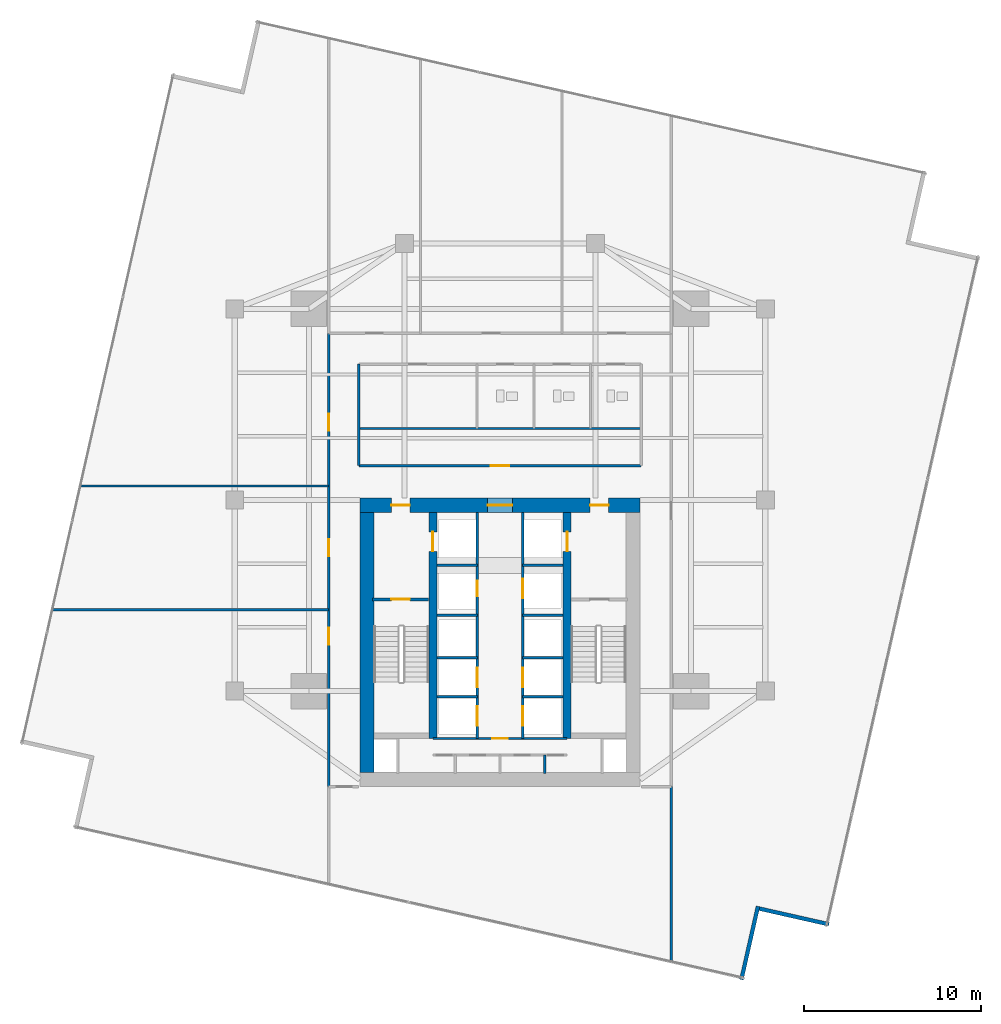
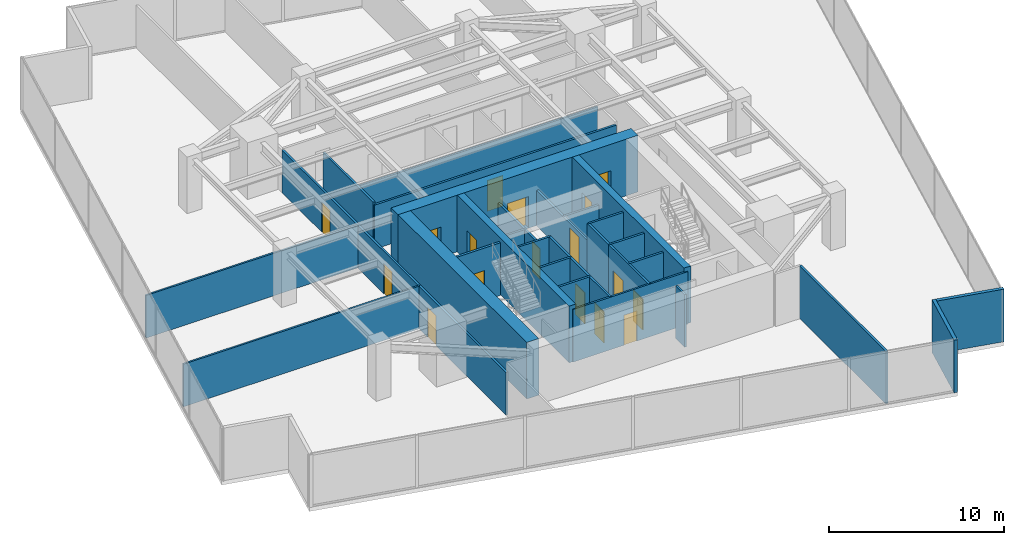
# One storey, part 23 of 26: 30 walls, 17 doors, 17 openings.
"""IFC4 building model written with IfcOpenShell, lengths in metres."""

from ifc_helpers import new_model, si_unit, direction, frame, frame_2d, origin, place, context, subcontext, project, spatial, rectangle, extrude, material, layer, layer_set, type_object, element, fill, save


model = new_model("IFC4")

# Units and contexts
model_context = context("Model", 3, precision=1e-05, world=origin(), true_north=direction((0.0, 1.0)))
body_context = subcontext(model_context, "Body", "Model", "MODEL_VIEW")
ifc_project = project(units=[si_unit("LENGTHUNIT", "METRE"), si_unit("AREAUNIT", "SQUARE_METRE"), si_unit("VOLUMEUNIT", "CUBIC_METRE"), si_unit("PLANEANGLEUNIT", "RADIAN"), si_unit("MASSUNIT", "GRAM", prefix="KILO")], contexts=[model_context])

# Site, building, storey
site_placement = place(None, origin())
site = spatial("IfcSite", under=ifc_project, at=site_placement, CompositionType="ELEMENT")
building_placement = place(site_placement, origin())
building = spatial("IfcBuilding", under=site, at=building_placement, Name="Krantzveldt Concourse Tower", CompositionType="ELEMENT")
storey_placement = place(building_placement, frame((0.0, 0.0, 94.0)))
storey = spatial("IfcBuildingStorey", under=building, at=storey_placement, Name="L22", CompositionType="ELEMENT", Elevation=94.0)

# Walls
ifc_material_1 = material(Name="Anodised aluminium 6063-T6", Category="aluminium")
ifc_layer_1 = layer(ifc_material_1, 0.219970703125, Name="Anodised aluminium 6063-T6", Category="aluminium")
ifc_layer_set_1 = layer_set([ifc_layer_1], Name="Anodised aluminium 6063-T6 (WL-EXT-NOTCH220)")
wall_type_1 = type_object("IfcWallType", Name="WL-EXT-NOTCH220", PredefinedType="ELEMENTEDWALL", material=ifc_layer_set_1)
wall_1_placement = place(storey_placement, frame((49.64453125, -0.404541015625, 0.0), z_axis=(0.0, 0.0, 1.0), x_axis=(0.220686293035, 0.975344841616, 0.0)))
element("IfcWall", 1, at=wall_1_placement, inside=storey, type_object=wall_type_1, Name="EW-L22-NCH05", PredefinedType="ELEMENTEDWALL", context=body_context, shape_type="SweptSolid", body=[
    extrude(rectangle(XDim=4.244873046875, YDim=0.219970703125, at=frame_2d((2.12255859375, 0.0))), origin(), (0.0, 0.0, 1.0), 3.669921875),
])
wall_2_placement = place(storey_placement, frame((50.664306640625, 3.60400390625, 0.0), z_axis=(0.0, 0.0, 1.0), x_axis=(0.975349272951, -0.2206667074, 0.0)))
element("IfcWall", 2, at=wall_2_placement, inside=storey, type_object=wall_type_1, Name="EW-L22-NCH06", PredefinedType="ELEMENTEDWALL", context=body_context, shape_type="SweptSolid", body=[
    extrude(rectangle(XDim=4.02490234375, YDim=0.219970703125, at=frame_2d((2.012451171875, 0.0))), origin(), (0.0, 0.0, 1.0), 3.669921875),
])

# Wall, opening, door
ifc_material_2 = material(Name="Fire-rated gypsum plasterboard on steel stud", Category="steel")
ifc_layer_2 = layer(ifc_material_2, 0.1201171875, Name="Fire-rated gypsum plasterboard on steel stud", Category="steel")
ifc_layer_set_2 = layer_set([ifc_layer_2], Name="Fire-rated gypsum plasterboard on steel stud (WL-PART-120)")
wall_type_2 = type_object("IfcWallType", Name="WL-PART-120", PredefinedType="PARTITIONING", material=ifc_layer_set_2)
wall_3_placement = place(storey_placement, frame((32.2099609375, 13.219970703125, 0.0), z_axis=(0.0, 0.0, 1.0), x_axis=(1.0, 0.0, 0.0)))
wall_3 = element("IfcWall", 3, at=wall_3_placement, inside=storey, type_object=wall_type_2, Name="WP-L22-CS2H", PredefinedType="PARTITIONING", context=body_context, shape_type="SweptSolid", body=[
    extrude(rectangle(XDim=7.580078125, YDim=0.1201171875, at=frame_2d((3.7900390625, 0.0))), origin(), (0.0, 0.0, 1.0), 3.669921875),
])
opening_1_placement = place(wall_3_placement, frame((3.364990234375, 0.0, 0.0)))
opening_1 = element("IfcOpeningElement", 4, at=opening_1_placement, cuts=wall_3, Name="Opening D-IN085", PredefinedType="OPENING", context=body_context, shape_type="SweptSolid", body=[
    extrude(rectangle(XDim=0.85009765625, YDim=2.10009765625, at=frame_2d((0.425048828125, 1.050048828125))), frame((0.0, 0.070068359375, 0.0), z_axis=(0.0, -1.0, 0.0), x_axis=(1.0, 0.0, 0.0)), (0.0, 0.0, 1.0), 0.14013671875),
])
ifc_material_3 = material(Name="Hardwood timber", Category="wood")
door_type_1 = type_object("IfcDoorType", Name="DR-INT-850", OperationType="SINGLE_SWING_LEFT", PredefinedType="DOOR", material=ifc_material_3)
door_1_placement = place(opening_1_placement, origin())
door_1 = element("IfcDoor", 5, at=door_1_placement, inside=storey, type_object=door_type_1, Name="DR-L22-LLBS", OperationType="SINGLE_SWING_RIGHT", OverallHeight=2.10009765625, OverallWidth=0.85009765625, PredefinedType="DOOR", context=body_context, shape_type="SweptSolid", body=[
    extrude(rectangle(XDim=0.85009765625, YDim=2.10009765625, at=frame_2d((0.425048828125, 1.050048828125))), frame((0.0, 0.02490234375, 0.0), z_axis=(0.0, -1.0, 0.0), x_axis=(1.0, 0.0, 0.0)), (0.0, 0.0, 1.0), 0.050048828125),
])
fill(opening_1, door_1)

# Walls
wall_4_placement = place(storey_placement, frame((38.530029296875, 11.25, 0.0), z_axis=(0.0, 0.0, 1.0), x_axis=(0.0, 1.0, 0.0)))
element("IfcWall", 6, at=wall_4_placement, inside=storey, type_object=wall_type_2, Name="WP-L22-CSD-V3", PredefinedType="PARTITIONING", context=body_context, shape_type="SweptSolid", body=[
    extrude(rectangle(XDim=1.030029296875, YDim=0.1201171875, at=frame_2d((0.51513671875, 0.0))), origin(), (0.0, 0.0, 1.0), 3.669921875),
])
wall_5_placement = place(storey_placement, frame((28.02001953125, 30.739990234375, 0.0), z_axis=(0.0, 0.0, 1.0), x_axis=(1.0, 0.0, 0.0)))
element("IfcWall", 7, at=wall_5_placement, inside=storey, type_object=wall_type_2, Name="WP-L22-ISLM", PredefinedType="PARTITIONING", context=body_context, shape_type="SweptSolid", body=[
    extrude(rectangle(XDim=15.9599609375, YDim=0.1201171875, at=frame_2d((7.97998046875, 0.0))), origin(), (0.0, 0.0, 1.0), 3.080078125),
])
wall_6_placement = place(storey_placement, frame((10.69775390625, 20.5, 0.0), z_axis=(0.0, 0.0, 1.0), x_axis=(1.0, 0.0, 0.0)))
element("IfcWall", 8, at=wall_6_placement, inside=storey, type_object=wall_type_2, Name="WP-L22-WD1", PredefinedType="PARTITIONING", context=body_context, shape_type="SweptSolid", body=[
    extrude(rectangle(XDim=15.622314453125, YDim=0.1201171875, at=frame_2d((7.81103515625, 0.0))), origin(), (0.0, 0.0, 1.0), 2.969970703125),
])
wall_7_placement = place(storey_placement, frame((12.28173828125, 27.5, 0.0), z_axis=(0.0, 0.0, 1.0), x_axis=(1.0, 0.0, 0.0)))
element("IfcWall", 9, at=wall_7_placement, inside=storey, type_object=wall_type_2, Name="WP-L22-WD2", PredefinedType="PARTITIONING", context=body_context, shape_type="SweptSolid", body=[
    extrude(rectangle(XDim=14.038330078125, YDim=0.1201171875, at=frame_2d((7.01904296875, 0.0))), origin(), (0.0, 0.0, 1.0), 2.969970703125),
])

# Wall, opening, door
ifc_layer_3 = layer(ifc_material_2, 0.139892578125, Name="Fire-rated gypsum plasterboard on steel stud", Category="steel")
ifc_layer_set_3 = layer_set([ifc_layer_3], Name="Fire-rated gypsum plasterboard on steel stud (WL-PART-140)")
wall_type_3 = type_object("IfcWallType", Name="WL-PART-140", PredefinedType="PARTITIONING", material=ifc_layer_set_3)
wall_8_placement = place(storey_placement, frame((28.02001953125, 28.639892578125, 0.0), z_axis=(0.0, 0.0, 1.0), x_axis=(1.0, 0.0, 0.0)))
wall_8 = element("IfcWall", 10, at=wall_8_placement, inside=storey, type_object=wall_type_3, Name="WP-L22-ISLS", PredefinedType="PARTITIONING", context=body_context, shape_type="SweptSolid", body=[
    extrude(rectangle(XDim=15.9599609375, YDim=0.139892578125, at=frame_2d((7.97998046875, 0.0))), origin(), (0.0, 0.0, 1.0), 3.080078125),
])
opening_2_placement = place(wall_8_placement, frame((7.455078125, 0.0, 0.0)))
opening_2 = element("IfcOpeningElement", 11, at=opening_2_placement, cuts=wall_8, Name="Opening D-IN105", PredefinedType="OPENING", context=body_context, shape_type="SweptSolid", body=[
    extrude(rectangle(XDim=1.050048828125, YDim=2.14990234375, at=frame_2d((0.52490234375, 1.074951171875))), frame((0.0, 0.080078125, 0.0), z_axis=(0.0, -1.0, 0.0), x_axis=(1.0, 0.0, 0.0)), (0.0, 0.0, 1.0), 0.159912109375),
])
door_type_2 = type_object("IfcDoorType", Name="DR-INT-1050", OperationType="SINGLE_SWING_LEFT", PredefinedType="DOOR", material=ifc_material_3)
door_2_placement = place(opening_2_placement, origin())
door_2 = element("IfcDoor", 12, at=door_2_placement, inside=storey, type_object=door_type_2, Name="DR-L22-MIDB", OperationType="SINGLE_SWING_LEFT", OverallHeight=2.14990234375, OverallWidth=1.050048828125, PredefinedType="DOOR", context=body_context, shape_type="SweptSolid", body=[
    extrude(rectangle(XDim=1.050048828125, YDim=2.14990234375, at=frame_2d((0.52490234375, 1.074951171875))), frame((0.0, 0.02490234375, 0.0), z_axis=(0.0, -1.0, 0.0), x_axis=(1.0, 0.0, 0.0)), (0.0, 0.0, 1.0), 0.050048828125),
])
fill(opening_2, door_2)

# Wall
wall_9_placement = place(storey_placement, frame((28.02001953125, 28.639892578125, 0.0), z_axis=(0.0, 0.0, 1.0), x_axis=(0.0, 1.0, 0.0)))
element("IfcWall", 13, at=wall_9_placement, inside=storey, type_object=wall_type_3, Name="WP-L22-ISLW", PredefinedType="PARTITIONING", context=body_context, shape_type="SweptSolid", body=[
    extrude(rectangle(XDim=5.739990234375, YDim=0.139892578125, at=frame_2d((2.8701171875, 0.0))), origin(), (0.0, 0.0, 1.0), 3.27001953125),
])

# Wall, openings, doors
wall_10_placement = place(storey_placement, frame((26.320068359375, 10.5, 0.0), z_axis=(0.0, 0.0, 1.0), x_axis=(0.0, 1.0, 0.0)))
wall_10 = element("IfcWall", 14, at=wall_10_placement, inside=storey, type_object=wall_type_3, Name="WP-L22-CWEST", PredefinedType="PARTITIONING", context=body_context, shape_type="SweptSolid", body=[
    extrude(rectangle(XDim=25.6201171875, YDim=0.139892578125, at=frame_2d((12.81005859375, 0.0))), origin(), (0.0, 0.0, 1.0), 2.969970703125),
])
opening_3_placement = place(wall_10_placement, frame((8.02490234375, 0.0, 0.0)))
opening_3 = element("IfcOpeningElement", 15, at=opening_3_placement, cuts=wall_10, Name="Opening D-IN095", PredefinedType="OPENING", context=body_context, shape_type="SweptSolid", body=[
    extrude(rectangle(XDim=0.949951171875, YDim=2.10009765625, at=frame_2d((0.47509765625, 1.050048828125))), frame((0.0, 0.080078125, 0.0), z_axis=(0.0, -1.0, 0.0), x_axis=(1.0, 0.0, 0.0)), (0.0, 0.0, 1.0), 0.159912109375),
])
opening_4_placement = place(wall_10_placement, frame((13.02490234375, 0.0, 0.0)))
opening_4 = element("IfcOpeningElement", 16, at=opening_4_placement, cuts=wall_10, Name="Opening D-IN095", PredefinedType="OPENING", context=body_context, shape_type="SweptSolid", body=[
    extrude(rectangle(XDim=0.949951171875, YDim=2.10009765625, at=frame_2d((0.47509765625, 1.050048828125))), frame((0.0, 0.080078125, 0.0), z_axis=(0.0, -1.0, 0.0), x_axis=(1.0, 0.0, 0.0)), (0.0, 0.0, 1.0), 0.159912109375),
])
opening_5_placement = place(wall_10_placement, frame((20.125, 0.0, 0.0)))
opening_5 = element("IfcOpeningElement", 17, at=opening_5_placement, cuts=wall_10, Name="Opening D-IN095", PredefinedType="OPENING", context=body_context, shape_type="SweptSolid", body=[
    extrude(rectangle(XDim=0.949951171875, YDim=2.10009765625, at=frame_2d((0.47509765625, 1.050048828125))), frame((0.0, 0.080078125, 0.0), z_axis=(0.0, -1.0, 0.0), x_axis=(1.0, 0.0, 0.0)), (0.0, 0.0, 1.0), 0.159912109375),
])
door_type_3 = type_object("IfcDoorType", Name="DR-INT-950", OperationType="SINGLE_SWING_LEFT", PredefinedType="DOOR", material=ifc_material_3)
door_3_placement = place(opening_3_placement, origin())
door_3 = element("IfcDoor", 18, at=door_3_placement, inside=storey, type_object=door_type_3, Name="DR-L22-WR1", OperationType="SINGLE_SWING_LEFT", OverallHeight=2.10009765625, OverallWidth=0.949951171875, PredefinedType="DOOR", context=body_context, shape_type="SweptSolid", body=[
    extrude(rectangle(XDim=0.949951171875, YDim=2.10009765625, at=frame_2d((0.47509765625, 1.050048828125))), frame((0.0, 0.02490234375, 0.0), z_axis=(0.0, -1.0, 0.0), x_axis=(1.0, 0.0, 0.0)), (0.0, 0.0, 1.0), 0.050048828125),
])
fill(opening_3, door_3)
door_4_placement = place(opening_4_placement, origin())
door_4 = element("IfcDoor", 19, at=door_4_placement, inside=storey, type_object=door_type_3, Name="DR-L22-WR2", OperationType="SINGLE_SWING_LEFT", OverallHeight=2.10009765625, OverallWidth=0.949951171875, PredefinedType="DOOR", context=body_context, shape_type="SweptSolid", body=[
    extrude(rectangle(XDim=0.949951171875, YDim=2.10009765625, at=frame_2d((0.47509765625, 1.050048828125))), frame((0.0, 0.02490234375, 0.0), z_axis=(0.0, -1.0, 0.0), x_axis=(1.0, 0.0, 0.0)), (0.0, 0.0, 1.0), 0.050048828125),
])
fill(opening_4, door_4)
door_5_placement = place(opening_5_placement, origin())
door_5 = element("IfcDoor", 20, at=door_5_placement, inside=storey, type_object=door_type_3, Name="DR-L22-WR3", OperationType="SINGLE_SWING_LEFT", OverallHeight=2.10009765625, OverallWidth=0.949951171875, PredefinedType="DOOR", context=body_context, shape_type="SweptSolid", body=[
    extrude(rectangle(XDim=0.949951171875, YDim=2.10009765625, at=frame_2d((0.47509765625, 1.050048828125))), frame((0.0, 0.02490234375, 0.0), z_axis=(0.0, -1.0, 0.0), x_axis=(1.0, 0.0, 0.0)), (0.0, 0.0, 1.0), 0.050048828125),
])
fill(opening_5, door_5)

# Wall
wall_11_placement = place(storey_placement, frame((45.679931640625, 0.6103515625, 0.0), z_axis=(0.0, 0.0, 1.0), x_axis=(0.0, 1.0, 0.0)))
element("IfcWall", 21, at=wall_11_placement, inside=storey, type_object=wall_type_3, Name="WP-L22-SER", PredefinedType="PARTITIONING", context=body_context, shape_type="SweptSolid", body=[
    extrude(rectangle(XDim=9.8896484375, YDim=0.139892578125, at=frame_2d((4.94482421875, 0.0))), origin(), (0.0, 0.0, 1.0), 3.669921875),
])

# Wall, opening, door
ifc_layer_4 = layer(ifc_material_2, 0.139892578125, Name="Fire-rated gypsum plasterboard on steel stud", Category="steel")
ifc_layer_set_4 = layer_set([ifc_layer_4], Name="Fire-rated gypsum plasterboard on steel stud (WL-PART-FR140)")
wall_type_4 = type_object("IfcWallType", Name="WL-PART-FR140", PredefinedType="PARTITIONING", material=ifc_layer_set_4)
wall_12_placement = place(storey_placement, frame((34.719970703125, 20.199951171875, 0.0), z_axis=(0.0, 0.0, 1.0), x_axis=(0.0, 1.0, 0.0)))
wall_12 = element("IfcWall", 22, at=wall_12_placement, inside=storey, type_object=wall_type_4, Name="WP-L22-SHNW", PredefinedType="PARTITIONING", context=body_context, shape_type="SweptSolid", body=[
    extrude(rectangle(XDim=5.780029296875, YDim=0.139892578125, at=frame_2d((2.89013671875, 0.0))), origin(), (0.0, 0.0, 1.0), 2.469970703125),
])
opening_6_placement = place(wall_12_placement, frame((1.050048828125, 0.0, 0.0)))
opening_6 = element("IfcOpeningElement", 23, at=opening_6_placement, cuts=wall_12, Name="Opening D-FD090", PredefinedType="OPENING", context=body_context, shape_type="SweptSolid", body=[
    extrude(rectangle(XDim=0.89990234375, YDim=2.10009765625, at=frame_2d((0.449951171875, 1.050048828125))), frame((0.0, 0.080078125, 0.0), z_axis=(0.0, -1.0, 0.0), x_axis=(1.0, 0.0, 0.0)), (0.0, 0.0, 1.0), 0.159912109375),
])
door_type_4 = type_object("IfcDoorType", Name="DR-FD60-900", OperationType="SINGLE_SWING_LEFT", PredefinedType="DOOR", material=ifc_material_3)
door_6_placement = place(opening_6_placement, origin())
door_6 = element("IfcDoor", 24, at=door_6_placement, inside=storey, type_object=door_type_4, Name="Electrical Riser Access Door L22", OperationType="SINGLE_SWING_LEFT", OverallHeight=2.10009765625, OverallWidth=0.89990234375, PredefinedType="DOOR", context=body_context, shape_type="SweptSolid", body=[
    extrude(rectangle(XDim=0.89990234375, YDim=2.10009765625, at=frame_2d((0.449951171875, 1.050048828125))), frame((0.0, 0.02490234375, 0.0), z_axis=(0.0, -1.0, 0.0), x_axis=(1.0, 0.0, 0.0)), (0.0, 0.0, 1.0), 0.050048828125),
])
fill(opening_6, door_6)

wall_13_placement = place(storey_placement, frame((37.280029296875, 20.199951171875, 0.0), z_axis=(0.0, 0.0, 1.0), x_axis=(0.0, 1.0, 0.0)))
wall_13 = element("IfcWall", 25, at=wall_13_placement, inside=storey, type_object=wall_type_4, Name="WP-L22-SHNE", PredefinedType="PARTITIONING", context=body_context, shape_type="SweptSolid", body=[
    extrude(rectangle(XDim=5.780029296875, YDim=0.139892578125, at=frame_2d((2.89013671875, 0.0))), origin(), (0.0, 0.0, 1.0), 2.469970703125),
])
opening_7_placement = place(wall_13_placement, frame((0.949951171875, 0.0, 0.0)))
opening_7 = element("IfcOpeningElement", 26, at=opening_7_placement, cuts=wall_13, Name="Opening LD", PredefinedType="OPENING", context=body_context, shape_type="SweptSolid", body=[
    extrude(rectangle(XDim=1.10009765625, YDim=2.14990234375, at=frame_2d((0.550048828125, 1.074951171875))), frame((0.0, 0.080078125, 0.0), z_axis=(0.0, -1.0, 0.0), x_axis=(1.0, 0.0, 0.0)), (0.0, 0.0, 1.0), 0.159912109375),
])
ifc_material_4 = material(Name="Stainless steel 316L", Category="steel")
door_type_5 = type_object("IfcDoorType", Name="DR-SLIDE-LD1100", OperationType="DOUBLE_DOOR_SLIDING", PredefinedType="DOOR", material=ifc_material_4)
door_7_placement = place(opening_7_placement, origin())
door_7 = element("IfcDoor", 27, at=door_7_placement, inside=storey, type_object=door_type_5, Name="LD-L22-GL1", OperationType="DOUBLE_DOOR_SLIDING", OverallHeight=2.14990234375, OverallWidth=1.10009765625, PredefinedType="DOOR", context=body_context, shape_type="SweptSolid", body=[
    extrude(rectangle(XDim=1.10009765625, YDim=2.14990234375, at=frame_2d((0.550048828125, 1.074951171875))), frame((0.0, 0.02490234375, 0.0), z_axis=(0.0, -1.0, 0.0), x_axis=(1.0, 0.0, 0.0)), (0.0, 0.0, 1.0), 0.050048828125),
])
fill(opening_7, door_7)

# Walls
for number, where, z_axis, x_axis, name in (
    (28, (32.449951171875, 23.0, 0.0), (0.0, 0.0, 1.0), (1.0, 0.0, 0.0), "WP-L22-RISH"),
    (29, (37.280029296875, 23.0, 0.0), (0.0, 0.0, 1.0), (1.0, 0.0, 0.0), "WP-L22-GLH"),
):
    element("IfcWall", number, at=place(storey_placement, frame(where, z_axis=z_axis, x_axis=x_axis)), inside=storey, type_object=wall_type_4, Name=name, PredefinedType="PARTITIONING", context=body_context, shape_type="SweptSolid", body=[
        extrude(rectangle(XDim=2.27001953125, YDim=0.139892578125, at=frame_2d((1.135009765625, 0.0))), origin(), (0.0, 0.0, 1.0), 2.469970703125),
    ])
for number, where, z_axis, x_axis, name in (
    (30, (34.719970703125, 17.780029296875, 0.0), (0.0, 0.0, 1.0), (0.0, 1.0, 0.0), "WP-L22-SHNW2"),
    (31, (37.280029296875, 17.780029296875, 0.0), (0.0, 0.0, 1.0), (0.0, 1.0, 0.0), "WP-L22-SHNE2"),
):
    element("IfcWall", number, at=place(storey_placement, frame(where, z_axis=z_axis, x_axis=x_axis)), inside=storey, type_object=wall_type_4, Name=name, PredefinedType="PARTITIONING", context=body_context, shape_type="SweptSolid", body=[
        extrude(rectangle(XDim=2.419921875, YDim=0.139892578125, at=frame_2d((1.2099609375, 0.0))), origin(), (0.0, 0.0, 1.0), 3.669921875),
    ])
for number, where, z_axis, x_axis, name in (
    (32, (32.449951171875, 17.780029296875, 0.0), (0.0, 0.0, 1.0), (1.0, 0.0, 0.0), "WP-L22-DIVW2"),
    (33, (32.449951171875, 20.179931640625, 0.0), (0.0, 0.0, 1.0), (1.0, 0.0, 0.0), "WP-L22-DIVW3"),
    (34, (37.280029296875, 17.780029296875, 0.0), (0.0, 0.0, 1.0), (1.0, 0.0, 0.0), "WP-L22-DIVE2"),
    (35, (37.280029296875, 20.179931640625, 0.0), (0.0, 0.0, 1.0), (1.0, 0.0, 0.0), "WP-L22-DIVE3"),
):
    element("IfcWall", number, at=place(storey_placement, frame(where, z_axis=z_axis, x_axis=x_axis)), inside=storey, type_object=wall_type_4, Name=name, PredefinedType="PARTITIONING", context=body_context, shape_type="SweptSolid", body=[
        extrude(rectangle(XDim=2.27001953125, YDim=0.139892578125, at=frame_2d((1.135009765625, 0.0))), origin(), (0.0, 0.0, 1.0), 3.669921875),
    ])

# Wall, openings, doors
wall_14_placement = place(storey_placement, frame((34.719970703125, 13.219970703125, 0.0), z_axis=(0.0, 0.0, 1.0), x_axis=(0.0, 1.0, 0.0)))
wall_14 = element("IfcWall", 36, at=wall_14_placement, inside=storey, type_object=wall_type_4, Name="WP-L22-SHSW", PredefinedType="PARTITIONING", context=body_context, shape_type="SweptSolid", body=[
    extrude(rectangle(XDim=4.56005859375, YDim=0.139892578125, at=frame_2d((2.280029296875, 0.0))), origin(), (0.0, 0.0, 1.0), 3.669921875),
])
opening_8_placement = place(wall_14_placement, frame((0.7099609375, 0.0, 0.0)))
opening_8 = element("IfcOpeningElement", 37, at=opening_8_placement, cuts=wall_14, Name="Opening LD", PredefinedType="OPENING", context=body_context, shape_type="SweptSolid", body=[
    extrude(rectangle(XDim=1.10009765625, YDim=2.14990234375, at=frame_2d((0.550048828125, 1.074951171875))), frame((0.0, 0.080078125, 0.0), z_axis=(0.0, -1.0, 0.0), x_axis=(1.0, 0.0, 0.0)), (0.0, 0.0, 1.0), 0.159912109375),
])
opening_9_placement = place(wall_14_placement, frame((2.909912109375, 0.0, 0.0)))
opening_9 = element("IfcOpeningElement", 38, at=opening_9_placement, cuts=wall_14, Name="Opening LD", PredefinedType="OPENING", context=body_context, shape_type="SweptSolid", body=[
    extrude(rectangle(XDim=1.10009765625, YDim=2.14990234375, at=frame_2d((0.550048828125, 1.074951171875))), frame((0.0, 0.080078125, 0.0), z_axis=(0.0, -1.0, 0.0), x_axis=(1.0, 0.0, 0.0)), (0.0, 0.0, 1.0), 0.159912109375),
])
door_8_placement = place(opening_8_placement, origin())
door_8 = element("IfcDoor", 39, at=door_8_placement, inside=storey, type_object=door_type_5, Name="LD-L22-PL1", OperationType="DOUBLE_DOOR_SLIDING", OverallHeight=2.14990234375, OverallWidth=1.10009765625, PredefinedType="DOOR", context=body_context, shape_type="SweptSolid", body=[
    extrude(rectangle(XDim=1.10009765625, YDim=2.14990234375, at=frame_2d((0.550048828125, 1.074951171875))), frame((0.0, 0.02490234375, 0.0), z_axis=(0.0, -1.0, 0.0), x_axis=(1.0, 0.0, 0.0)), (0.0, 0.0, 1.0), 0.050048828125),
])
fill(opening_8, door_8)
door_9_placement = place(opening_9_placement, origin())
door_9 = element("IfcDoor", 40, at=door_9_placement, inside=storey, type_object=door_type_5, Name="LD-L22-PL2", OperationType="DOUBLE_DOOR_SLIDING", OverallHeight=2.14990234375, OverallWidth=1.10009765625, PredefinedType="DOOR", context=body_context, shape_type="SweptSolid", body=[
    extrude(rectangle(XDim=1.10009765625, YDim=2.14990234375, at=frame_2d((0.550048828125, 1.074951171875))), frame((0.0, 0.02490234375, 0.0), z_axis=(0.0, -1.0, 0.0), x_axis=(1.0, 0.0, 0.0)), (0.0, 0.0, 1.0), 0.050048828125),
])
fill(opening_9, door_9)

# Wall
wall_15_placement = place(storey_placement, frame((32.449951171875, 15.580078125, 0.0), z_axis=(0.0, 0.0, 1.0), x_axis=(1.0, 0.0, 0.0)))
element("IfcWall", 41, at=wall_15_placement, inside=storey, type_object=wall_type_4, Name="WP-L22-DIVW1", PredefinedType="PARTITIONING", context=body_context, shape_type="SweptSolid", body=[
    extrude(rectangle(XDim=2.27001953125, YDim=0.139892578125, at=frame_2d((1.135009765625, 0.0))), origin(), (0.0, 0.0, 1.0), 3.669921875),
])

# Wall, openings, doors
wall_16_placement = place(storey_placement, frame((37.280029296875, 13.219970703125, 0.0), z_axis=(0.0, 0.0, 1.0), x_axis=(0.0, 1.0, 0.0)))
wall_16 = element("IfcWall", 42, at=wall_16_placement, inside=storey, type_object=wall_type_4, Name="WP-L22-SHSE", PredefinedType="PARTITIONING", context=body_context, shape_type="SweptSolid", body=[
    extrude(rectangle(XDim=4.56005859375, YDim=0.139892578125, at=frame_2d((2.280029296875, 0.0))), origin(), (0.0, 0.0, 1.0), 3.669921875),
])
opening_10_placement = place(wall_16_placement, frame((0.7099609375, 0.0, 0.0)))
opening_10 = element("IfcOpeningElement", 43, at=opening_10_placement, cuts=wall_16, Name="Opening LD", PredefinedType="OPENING", context=body_context, shape_type="SweptSolid", body=[
    extrude(rectangle(XDim=1.10009765625, YDim=2.14990234375, at=frame_2d((0.550048828125, 1.074951171875))), frame((0.0, 0.080078125, 0.0), z_axis=(0.0, -1.0, 0.0), x_axis=(1.0, 0.0, 0.0)), (0.0, 0.0, 1.0), 0.159912109375),
])
opening_11_placement = place(wall_16_placement, frame((2.909912109375, 0.0, 0.0)))
opening_11 = element("IfcOpeningElement", 44, at=opening_11_placement, cuts=wall_16, Name="Opening LD", PredefinedType="OPENING", context=body_context, shape_type="SweptSolid", body=[
    extrude(rectangle(XDim=1.10009765625, YDim=2.14990234375, at=frame_2d((0.550048828125, 1.074951171875))), frame((0.0, 0.080078125, 0.0), z_axis=(0.0, -1.0, 0.0), x_axis=(1.0, 0.0, 0.0)), (0.0, 0.0, 1.0), 0.159912109375),
])
door_10_placement = place(opening_10_placement, origin())
door_10 = element("IfcDoor", 45, at=door_10_placement, inside=storey, type_object=door_type_5, Name="LD-L22-PM1", OperationType="DOUBLE_DOOR_SLIDING", OverallHeight=2.14990234375, OverallWidth=1.10009765625, PredefinedType="DOOR", context=body_context, shape_type="SweptSolid", body=[
    extrude(rectangle(XDim=1.10009765625, YDim=2.14990234375, at=frame_2d((0.550048828125, 1.074951171875))), frame((0.0, 0.02490234375, 0.0), z_axis=(0.0, -1.0, 0.0), x_axis=(1.0, 0.0, 0.0)), (0.0, 0.0, 1.0), 0.050048828125),
])
fill(opening_10, door_10)
door_11_placement = place(opening_11_placement, origin())
door_11 = element("IfcDoor", 46, at=door_11_placement, inside=storey, type_object=door_type_5, Name="LD-L22-PM2", OperationType="DOUBLE_DOOR_SLIDING", OverallHeight=2.14990234375, OverallWidth=1.10009765625, PredefinedType="DOOR", context=body_context, shape_type="SweptSolid", body=[
    extrude(rectangle(XDim=1.10009765625, YDim=2.14990234375, at=frame_2d((0.550048828125, 1.074951171875))), frame((0.0, 0.02490234375, 0.0), z_axis=(0.0, -1.0, 0.0), x_axis=(1.0, 0.0, 0.0)), (0.0, 0.0, 1.0), 0.050048828125),
])
fill(opening_11, door_11)

# Wall
wall_17_placement = place(storey_placement, frame((37.280029296875, 15.580078125, 0.0), z_axis=(0.0, 0.0, 1.0), x_axis=(1.0, 0.0, 0.0)))
element("IfcWall", 47, at=wall_17_placement, inside=storey, type_object=wall_type_4, Name="WP-L22-DIVE1", PredefinedType="PARTITIONING", context=body_context, shape_type="SweptSolid", body=[
    extrude(rectangle(XDim=2.27001953125, YDim=0.139892578125, at=frame_2d((1.135009765625, 0.0))), origin(), (0.0, 0.0, 1.0), 3.669921875),
])

# Wall, opening, door
ifc_layer_5 = layer(ifc_material_2, 0.159912109375, Name="Fire-rated gypsum plasterboard on steel stud", Category="steel")
ifc_layer_set_5 = layer_set([ifc_layer_5], Name="Fire-rated gypsum plasterboard on steel stud (WL-PART-FR160)")
wall_type_5 = type_object("IfcWallType", Name="WL-PART-FR160", PredefinedType="PARTITIONING", material=ifc_layer_set_5)
wall_18_placement = place(storey_placement, frame((28.800048828125, 21.080078125, 0.0), z_axis=(0.0, 0.0, 1.0), x_axis=(1.0, 0.0, 0.0)))
wall_18 = element("IfcWall", 48, at=wall_18_placement, inside=storey, type_object=wall_type_5, Name="WP-L22-ST1", PredefinedType="PARTITIONING", context=body_context, shape_type="SweptSolid", body=[
    extrude(rectangle(XDim=3.159912109375, YDim=0.159912109375, at=frame_2d((1.580078125, 0.0))), origin(), (0.0, 0.0, 1.0), 3.669921875),
])
opening_12_placement = place(wall_18_placement, frame((1.054931640625, 0.0, 0.0)))
opening_12 = element("IfcOpeningElement", 49, at=opening_12_placement, cuts=wall_18, Name="Opening D-FD105", PredefinedType="OPENING", context=body_context, shape_type="SweptSolid", body=[
    extrude(rectangle(XDim=1.050048828125, YDim=2.10009765625, at=frame_2d((0.52490234375, 1.050048828125))), frame((0.0, 0.08984375, 0.0), z_axis=(0.0, -1.0, 0.0), x_axis=(1.0, 0.0, 0.0)), (0.0, 0.0, 1.0), 0.179931640625),
])
ifc_material_5 = material(Name="Galvanised steel", Category="steel")
door_type_6 = type_object("IfcDoorType", Name="DR-FD120-1050", OperationType="SINGLE_SWING_LEFT", PredefinedType="DOOR", material=ifc_material_5)
door_12_placement = place(opening_12_placement, origin())
door_12 = element("IfcDoor", 50, at=door_12_placement, inside=storey, type_object=door_type_6, Name="DR-L22-ST1", OperationType="SINGLE_SWING_RIGHT", OverallHeight=2.10009765625, OverallWidth=1.050048828125, PredefinedType="DOOR", context=body_context, shape_type="SweptSolid", body=[
    extrude(rectangle(XDim=1.050048828125, YDim=2.10009765625, at=frame_2d((0.52490234375, 1.050048828125))), frame((0.0, 0.02490234375, 0.0), z_axis=(0.0, -1.0, 0.0), x_axis=(1.0, 0.0, 0.0)), (0.0, 0.0, 1.0), 0.050048828125),
])
fill(opening_12, door_12)

ifc_material_6 = material(Name="Concrete C50/60", Category="concrete")
ifc_layer_6 = layer(ifc_material_6, 0.449951171875, Name="Concrete C50/60", Category="concrete")
ifc_layer_set_6 = layer_set([ifc_layer_6], Name="Concrete C50/60 (WL-SHEAR-450)")
wall_type_6 = type_object("IfcWallType", Name="WL-SHEAR-450", PredefinedType="SHEAR", material=ifc_layer_set_6)
wall_19_placement = place(storey_placement, frame((32.205078125, 13.219970703125, 0.0), z_axis=(0.0, 0.0, 1.0), x_axis=(0.0, 1.0, 0.0)))
wall_19 = element("IfcWall", 51, at=wall_19_placement, inside=storey, type_object=wall_type_6, Name="CW-L22-IW", PredefinedType="SHEAR", context=body_context, shape_type="SweptSolid", body=[
    extrude(rectangle(XDim=12.780029296875, YDim=0.449951171875, at=frame_2d((6.39013671875, 0.0))), origin(), (0.0, 0.0, 1.0), 3.949951171875),
])
opening_13_placement = place(wall_19_placement, frame((10.580078125, 0.0, 0.0)))
opening_13 = element("IfcOpeningElement", 52, at=opening_13_placement, cuts=wall_19, Name="Opening LD", PredefinedType="OPENING", context=body_context, shape_type="SweptSolid", body=[
    extrude(rectangle(XDim=1.10009765625, YDim=2.14990234375, at=frame_2d((0.550048828125, 1.074951171875))), frame((0.0, 0.23486328125, 0.0), z_axis=(0.0, -1.0, 0.0), x_axis=(1.0, 0.0, 0.0)), (0.0, 0.0, 1.0), 0.469970703125),
])
door_13_placement = place(opening_13_placement, origin())
door_13 = element("IfcDoor", 53, at=door_13_placement, inside=storey, type_object=door_type_5, Name="LD-L22-FL1", OperationType="DOUBLE_DOOR_SLIDING", OverallHeight=2.14990234375, OverallWidth=1.10009765625, PredefinedType="DOOR", context=body_context, shape_type="SweptSolid", body=[
    extrude(rectangle(XDim=1.10009765625, YDim=2.14990234375, at=frame_2d((0.550048828125, 1.074951171875))), frame((0.0, 0.02490234375, 0.0), z_axis=(0.0, -1.0, 0.0), x_axis=(1.0, 0.0, 0.0)), (0.0, 0.0, 1.0), 0.050048828125),
])
fill(opening_13, door_13)

wall_20_placement = place(storey_placement, frame((39.794921875, 13.219970703125, 0.0), z_axis=(0.0, 0.0, 1.0), x_axis=(0.0, 1.0, 0.0)))
wall_20 = element("IfcWall", 54, at=wall_20_placement, inside=storey, type_object=wall_type_6, Name="CW-L22-IE", PredefinedType="SHEAR", context=body_context, shape_type="SweptSolid", body=[
    extrude(rectangle(XDim=12.780029296875, YDim=0.449951171875, at=frame_2d((6.39013671875, 0.0))), origin(), (0.0, 0.0, 1.0), 3.949951171875),
])
opening_14_placement = place(wall_20_placement, frame((10.580078125, 0.0, 0.0)))
opening_14 = element("IfcOpeningElement", 55, at=opening_14_placement, cuts=wall_20, Name="Opening LD", PredefinedType="OPENING", context=body_context, shape_type="SweptSolid", body=[
    extrude(rectangle(XDim=1.10009765625, YDim=2.14990234375, at=frame_2d((0.550048828125, 1.074951171875))), frame((0.0, 0.23486328125, 0.0), z_axis=(0.0, -1.0, 0.0), x_axis=(1.0, 0.0, 0.0)), (0.0, 0.0, 1.0), 0.469970703125),
])
door_14_placement = place(opening_14_placement, origin())
door_14 = element("IfcDoor", 56, at=door_14_placement, inside=storey, type_object=door_type_5, Name="LD-L22-FL2", OperationType="DOUBLE_DOOR_SLIDING", OverallHeight=2.14990234375, OverallWidth=1.10009765625, PredefinedType="DOOR", context=body_context, shape_type="SweptSolid", body=[
    extrude(rectangle(XDim=1.10009765625, YDim=2.14990234375, at=frame_2d((0.550048828125, 1.074951171875))), frame((0.0, 0.02490234375, 0.0), z_axis=(0.0, -1.0, 0.0), x_axis=(1.0, 0.0, 0.0)), (0.0, 0.0, 1.0), 0.050048828125),
])
fill(opening_14, door_14)

# Wall, openings, doors
ifc_material_7 = material(Name="Concrete C60/75", Category="concrete")
ifc_layer_7 = layer(ifc_material_7, 0.800048828125, Name="Concrete C60/75", Category="concrete")
ifc_layer_set_7 = layer_set([ifc_layer_7], Name="Concrete C60/75 (WL-SHEAR-800)")
wall_type_7 = type_object("IfcWallType", Name="WL-SHEAR-800", PredefinedType="SHEAR", material=ifc_layer_set_7)
wall_21_placement = place(storey_placement, frame((28.080078125, 26.39990234375, 0.0), z_axis=(0.0, 0.0, 1.0), x_axis=(1.0, 0.0, 0.0)))
wall_21 = element("IfcWall", 57, at=wall_21_placement, inside=storey, type_object=wall_type_7, Name="CW-L22-N", PredefinedType="SHEAR", context=body_context, shape_type="SweptSolid", body=[
    extrude(rectangle(XDim=15.83984375, YDim=0.800048828125, at=frame_2d((7.919921875, 0.0))), origin(), (0.0, 0.0, 1.0), 3.949951171875),
])
opening_15_placement = place(wall_21_placement, frame((7.219970703125, 0.0, 0.0)))
opening_15 = element("IfcOpeningElement", 58, at=opening_15_placement, cuts=wall_21, Name="Opening D-DB140", PredefinedType="OPENING", context=body_context, shape_type="SweptSolid", body=[
    extrude(rectangle(XDim=1.39990234375, YDim=2.199951171875, at=frame_2d((0.699951171875, 1.10009765625))), frame((0.0, 0.41015625, 0.0), z_axis=(0.0, -1.0, 0.0), x_axis=(1.0, 0.0, 0.0)), (0.0, 0.0, 1.0), 0.820068359375),
])
opening_16_placement = place(wall_21_placement, frame((1.77490234375, 0.0, 0.0)))
opening_16 = element("IfcOpeningElement", 59, at=opening_16_placement, cuts=wall_21, Name="Opening D-FD105", PredefinedType="OPENING", context=body_context, shape_type="SweptSolid", body=[
    extrude(rectangle(XDim=1.050048828125, YDim=2.10009765625, at=frame_2d((0.52490234375, 1.050048828125))), frame((0.0, 0.41015625, 0.0), z_axis=(0.0, -1.0, 0.0), x_axis=(1.0, 0.0, 0.0)), (0.0, 0.0, 1.0), 0.820068359375),
])
opening_17_placement = place(wall_21_placement, frame((13.014892578125, 0.0, 0.0)))
opening_17 = element("IfcOpeningElement", 60, at=opening_17_placement, cuts=wall_21, Name="Opening D-FD105", PredefinedType="OPENING", context=body_context, shape_type="SweptSolid", body=[
    extrude(rectangle(XDim=1.050048828125, YDim=2.10009765625, at=frame_2d((0.52490234375, 1.050048828125))), frame((0.0, 0.41015625, 0.0), z_axis=(0.0, -1.0, 0.0), x_axis=(1.0, 0.0, 0.0)), (0.0, 0.0, 1.0), 0.820068359375),
])
door_type_7 = type_object("IfcDoorType", Name="DR-DBL-1400", OperationType="DOUBLE_DOOR_SINGLE_SWING", PredefinedType="DOOR", material=ifc_material_1)
door_15_placement = place(opening_15_placement, origin())
door_15 = element("IfcDoor", 61, at=door_15_placement, inside=storey, type_object=door_type_7, Name="DR-L22-LLB", OperationType="DOUBLE_DOOR_SINGLE_SWING", OverallHeight=2.199951171875, OverallWidth=1.39990234375, PredefinedType="DOOR", context=body_context, shape_type="SweptSolid", body=[
    extrude(rectangle(XDim=1.39990234375, YDim=2.199951171875, at=frame_2d((0.699951171875, 1.10009765625))), frame((0.0, 0.02490234375, 0.0), z_axis=(0.0, -1.0, 0.0), x_axis=(1.0, 0.0, 0.0)), (0.0, 0.0, 1.0), 0.050048828125),
])
fill(opening_15, door_15)
door_16_placement = place(opening_16_placement, origin())
door_16 = element("IfcDoor", 62, at=door_16_placement, inside=storey, type_object=door_type_6, Name="DR-L22-FFL1", OperationType="SINGLE_SWING_LEFT", OverallHeight=2.10009765625, OverallWidth=1.050048828125, PredefinedType="DOOR", context=body_context, shape_type="SweptSolid", body=[
    extrude(rectangle(XDim=1.050048828125, YDim=2.10009765625, at=frame_2d((0.52490234375, 1.050048828125))), frame((0.0, 0.02490234375, 0.0), z_axis=(0.0, -1.0, 0.0), x_axis=(1.0, 0.0, 0.0)), (0.0, 0.0, 1.0), 0.050048828125),
])
fill(opening_16, door_16)
door_17_placement = place(opening_17_placement, origin())
door_17 = element("IfcDoor", 63, at=door_17_placement, inside=storey, type_object=door_type_6, Name="DR-L22-FFL2", OperationType="SINGLE_SWING_RIGHT", OverallHeight=2.10009765625, OverallWidth=1.050048828125, PredefinedType="DOOR", context=body_context, shape_type="SweptSolid", body=[
    extrude(rectangle(XDim=1.050048828125, YDim=2.10009765625, at=frame_2d((0.52490234375, 1.050048828125))), frame((0.0, 0.02490234375, 0.0), z_axis=(0.0, -1.0, 0.0), x_axis=(1.0, 0.0, 0.0)), (0.0, 0.0, 1.0), 0.050048828125),
])
fill(opening_17, door_17)

# Wall
wall_22_placement = place(storey_placement, frame((28.47998046875, 11.300048828125, 0.0), z_axis=(0.0, 0.0, 1.0), x_axis=(0.0, 1.0, 0.0)))
element("IfcWall", 64, at=wall_22_placement, inside=storey, type_object=wall_type_7, Name="CW-L22-W", PredefinedType="SHEAR", context=body_context, shape_type="SweptSolid", body=[
    extrude(rectangle(XDim=14.699951171875, YDim=0.800048828125, at=frame_2d((7.35009765625, 0.0))), origin(), (0.0, 0.0, 1.0), 3.949951171875),
])

save(model, "model.ifc")
